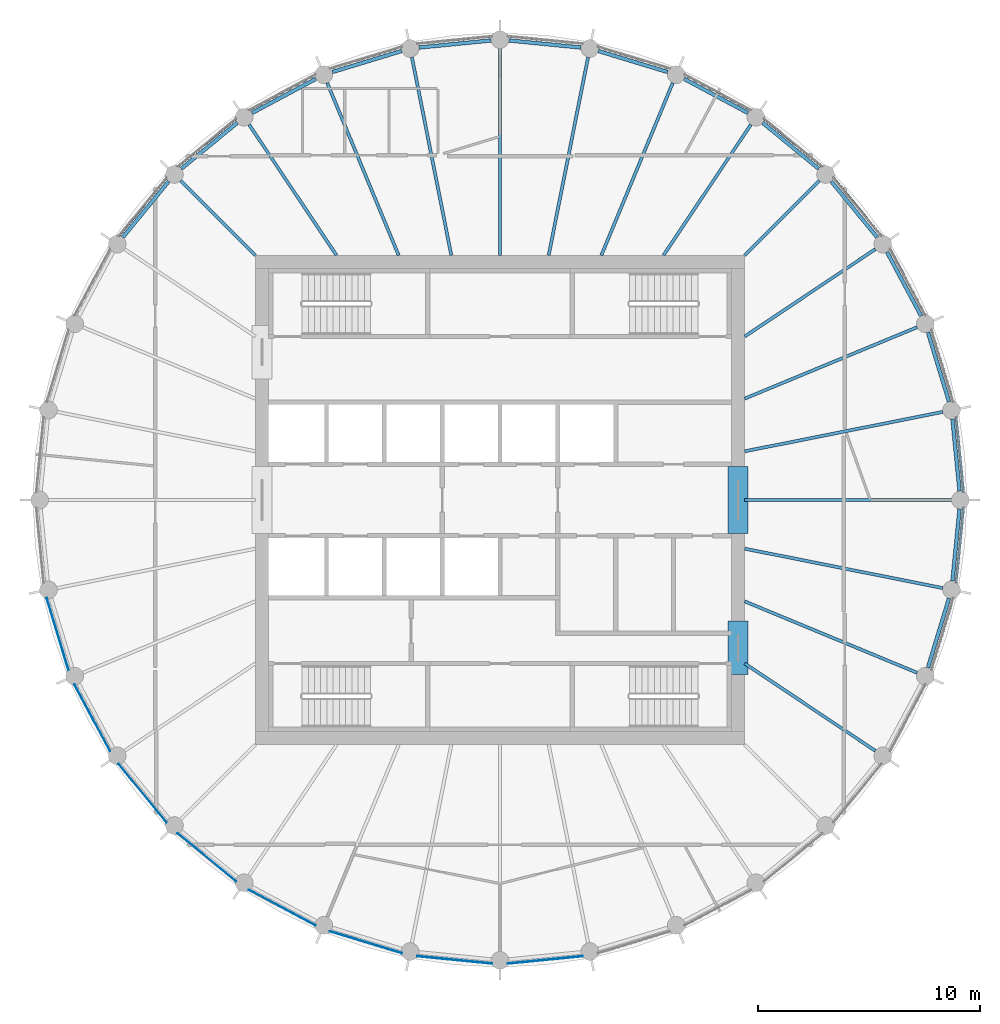
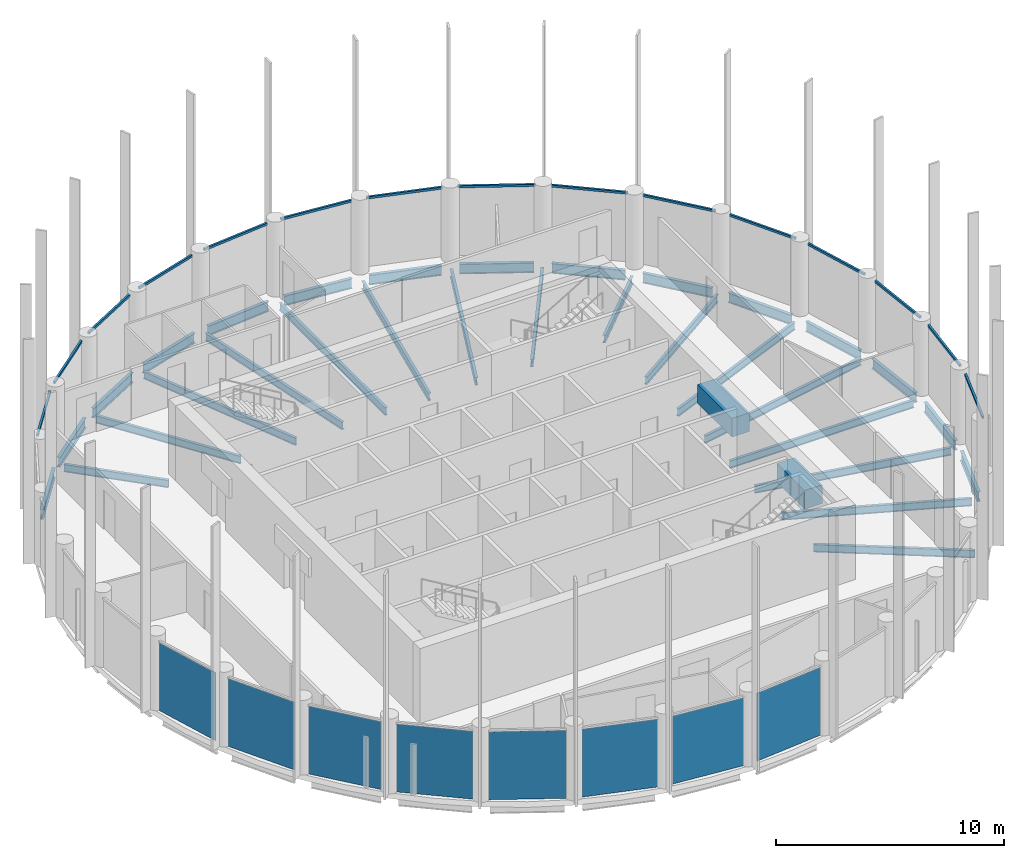
# One storey, part 2 of 7: 33 beams, 15 members, 8 plates, 23 elements without a shape of their own.
"""IFC4 building model written with IfcOpenShell, lengths in metres."""

from ifc_helpers import new_model, si_unit, direction, frame, origin, origin_2d, place, context, subcontext, project, spatial, rectangle, i_section, extrude, material, layer, layer_set, material_profile, profile_set, type_object, element, aggregate, save


model = new_model("IFC4")

# Units and contexts
model_context = context("Model", 3, precision=1e-05, world=origin(), true_north=direction((0.0, 1.0)))
body_context = subcontext(model_context, "Body", "Model", "MODEL_VIEW")
ifc_project = project(units=[si_unit("LENGTHUNIT", "METRE"), si_unit("AREAUNIT", "SQUARE_METRE"), si_unit("VOLUMEUNIT", "CUBIC_METRE"), si_unit("PLANEANGLEUNIT", "RADIAN"), si_unit("MASSUNIT", "GRAM", prefix="KILO")], contexts=[model_context])

# Site, building, storey
site_placement = place(None, origin())
site = spatial("IfcSite", under=ifc_project, at=site_placement, CompositionType="ELEMENT")
building_placement = place(site_placement, origin())
building = spatial("IfcBuilding", under=site, at=building_placement, Name="Corvane Civic Tower", CompositionType="ELEMENT")
storey_placement = place(building_placement, frame((0.0, 0.0, 368.5)))
storey = spatial("IfcBuildingStorey", under=building, at=storey_placement, Name="L88", CompositionType="ELEMENT", Elevation=368.5)

# Beams
ifc_material_1 = material(Name="Concrete C40/50", Category="concrete")
ifc_material_profile_1 = material_profile(ifc_material_1, rectangle(XDim=0.89990234375, YDim=1.0, at=origin_2d()), Name="COUPLING BEAM 900X1000")
ifc_profile_set_1 = profile_set([ifc_material_profile_1], Name="Concrete C40/50")
beam_type_1 = type_object("IfcBeamType", Name="COUPLING BEAM COUPLING BEAM 900X1000", PredefinedType="BEAM", material=ifc_profile_set_1)
beam_1_placement = place(storey_placement, frame((10.699951171875, -1.5, 2.60009765625), z_axis=(0.0, 1.0, 0.0), x_axis=(-1.0, 0.0, 0.0)))
element("IfcBeam", 1, at=beam_1_placement, inside=storey, type_object=beam_type_1, Name="BM-L88-cpl-CW-LE", PredefinedType="BEAM", context=body_context, shape_type="SweptSolid", body=[
    extrude(rectangle(XDim=0.89990234375, YDim=1.0, at=origin_2d()), origin(), (0.0, 0.0, 1.0), 3.0),
])
beam_2_placement = place(storey_placement, frame((10.699951171875, -7.85009765625, 2.60009765625), z_axis=(0.0, 1.0, 0.0), x_axis=(-1.0, 0.0, 0.0)))
element("IfcBeam", 2, at=beam_2_placement, inside=storey, type_object=beam_type_1, Name="BM-L88-cpl-CW-ES", PredefinedType="BEAM", context=body_context, shape_type="SweptSolid", body=[
    extrude(rectangle(XDim=0.89990234375, YDim=1.0, at=origin_2d()), origin(), (0.0, 0.0, 1.0), 2.400146484375),
])
ifc_material_2 = material(Name="Steel ASTM A992 Gr 50", Category="steel")
ifc_material_profile_2 = material_profile(ifc_material_2, i_section(OverallWidth=0.165771484375, OverallDepth=0.5283203125, WebThickness=0.009765625, FlangeThickness=0.013671875, at=origin_2d()), Name="W21X50")
ifc_profile_set_2 = profile_set([ifc_material_profile_2], Name="Steel ASTM A992 Gr 50")
beam_type_2 = type_object("IfcBeamType", Name="EDGE BEAM W21X50", PredefinedType="BEAM", material=ifc_profile_set_2)
beam_3_placement = place(storey_placement, frame((0.39794921875, 20.66064453125, -0.564208984375), z_axis=(0.995192503142, -0.097938152369, 0.0), x_axis=(0.097938152369, 0.995192503142, 0.0)))
element("IfcBeam", 3, at=beam_3_placement, inside=storey, type_object=beam_type_2, Name="BM-L88-E01", PredefinedType="BEAM", context=body_context, shape_type="SweptSolid", body=[
    extrude(i_section(OverallWidth=0.165771484375, OverallDepth=0.5283203125, WebThickness=0.009765625, FlangeThickness=0.013671875, at=origin_2d()), origin(), (0.0, 0.0, 1.0), 3.258056640625),
])
for number, where, z_axis, x_axis, name in (
    (4, (4.421142578125, 20.18603515625, -0.564208984375), (0.956955679349, -0.290234091317, 0.0), (0.290234091317, 0.956955679349, 0.0), "BM-L88-E02"),
    (5, (8.2744140625, 18.935791015625, -0.564208984375), (0.881894065907, -0.471447618, 0.0), (0.471447618, 0.881894065907, 0.0), "BM-L88-E03"),
    (6, (11.8095703125, 16.957763671875, -0.564208984375), (0.772984791903, -0.634424551454, 0.0), (0.634424551454, 0.772984791903, 0.0), "BM-L88-E04"),
    (7, (14.890869140625, 14.327880859375, -0.564208984375), (0.634424551454, -0.772984791903, 0.0), (0.772984791903, 0.634424551454, 0.0), "BM-L88-E05"),
    (8, (17.39990234375, 11.1474609375, -0.564208984375), (0.471447618, -0.881894065907, 0.0), (0.881894065907, 0.471447618, 0.0), "BM-L88-E06"),
    (9, (19.240478515625, 7.538818359375, -0.564208984375), (0.290234091317, -0.956955679349, 0.0), (0.956955679349, 0.290234091317, 0.0), "BM-L88-E07"),
):
    element("IfcBeam", number, at=place(storey_placement, frame(where, z_axis=z_axis, x_axis=x_axis)), inside=storey, type_object=beam_type_2, Name=name, PredefinedType="BEAM", context=body_context, shape_type="SweptSolid", body=[
        extrude(i_section(OverallWidth=0.165771484375, OverallDepth=0.5283203125, WebThickness=0.009765625, FlangeThickness=0.013671875, at=origin_2d()), origin(), (0.0, 0.0, 1.0), 3.2578125),
    ])
for number, where, z_axis, x_axis, name in (
    (10, (20.341552734375, 3.640380859375, -0.564208984375), (0.097938152369, -0.995192503142, 0.0), (0.995192503142, 0.097938152369, 0.0), "BM-L88-E08"),
    (11, (20.66064453125, -0.39794921875, -0.564208984375), (-0.097938152369, -0.995192503142, 0.0), (0.995192503142, -0.097938152369, 0.0), "BM-L88-E09"),
):
    element("IfcBeam", number, at=place(storey_placement, frame(where, z_axis=z_axis, x_axis=x_axis)), inside=storey, type_object=beam_type_2, Name=name, PredefinedType="BEAM", context=body_context, shape_type="SweptSolid", body=[
        extrude(i_section(OverallWidth=0.165771484375, OverallDepth=0.5283203125, WebThickness=0.009765625, FlangeThickness=0.013671875, at=origin_2d()), origin(), (0.0, 0.0, 1.0), 3.258056640625),
    ])
for number, where, z_axis, x_axis, name in (
    (12, (20.18603515625, -4.421142578125, -0.564208984375), (-0.290234091317, -0.956955679349, 0.0), (0.956955679349, -0.290234091317, 0.0), "BM-L88-E10"),
    (13, (-16.957763671875, 11.8095703125, -0.564208984375), (0.634424551454, 0.772984791903, 0.0), (-0.772984791903, 0.634424551454, 0.0), "BM-L88-E28"),
    (14, (-14.327880859375, 14.890869140625, -0.564208984375), (0.772984791903, 0.634424551454, 0.0), (-0.634424551454, 0.772984791903, 0.0), "BM-L88-E29"),
    (15, (-11.1474609375, 17.39990234375, -0.564208984375), (0.881894065907, 0.471447618, 0.0), (-0.471447618, 0.881894065907, 0.0), "BM-L88-E30"),
    (16, (-7.538818359375, 19.240478515625, -0.564208984375), (0.956955679349, 0.290234091317, 0.0), (-0.290234091317, 0.956955679349, 0.0), "BM-L88-E31"),
):
    element("IfcBeam", number, at=place(storey_placement, frame(where, z_axis=z_axis, x_axis=x_axis)), inside=storey, type_object=beam_type_2, Name=name, PredefinedType="BEAM", context=body_context, shape_type="SweptSolid", body=[
        extrude(i_section(OverallWidth=0.165771484375, OverallDepth=0.5283203125, WebThickness=0.009765625, FlangeThickness=0.013671875, at=origin_2d()), origin(), (0.0, 0.0, 1.0), 3.2578125),
    ])
beam_4_placement = place(storey_placement, frame((-3.640380859375, 20.341552734375, -0.564208984375), z_axis=(0.995192503142, 0.097938152369, 0.0), x_axis=(-0.097938152369, 0.995192503142, 0.0)))
element("IfcBeam", 17, at=beam_4_placement, inside=storey, type_object=beam_type_2, Name="BM-L88-E32", PredefinedType="BEAM", context=body_context, shape_type="SweptSolid", body=[
    extrude(i_section(OverallWidth=0.165771484375, OverallDepth=0.5283203125, WebThickness=0.009765625, FlangeThickness=0.013671875, at=origin_2d()), origin(), (0.0, 0.0, 1.0), 3.258056640625),
])
ifc_material_3 = material(Name="Steel ASTM A992 Gr 50", Category="steel")
ifc_material_profile_3 = material_profile(ifc_material_3, i_section(OverallWidth=0.140380859375, OverallDepth=0.40380859375, WebThickness=0.007080078125, FlangeThickness=0.01123046875, at=origin_2d()), Name="W16X31")
ifc_profile_set_3 = profile_set([ifc_material_profile_3], Name="Steel ASTM A992 Gr 50")
beam_type_3 = type_object("IfcBeamType", Name="FLOOR GIRDER W16X31", PredefinedType="BEAM", material=ifc_profile_set_3)
beam_5_placement = place(storey_placement, frame((0.0, 11.0, -0.501953125), z_axis=(0.0, 1.0, 0.0), x_axis=(-1.0, 0.0, 0.0)))
element("IfcBeam", 18, at=beam_5_placement, inside=storey, type_object=beam_type_3, Name="BM-L88-G01", PredefinedType="BEAM", context=body_context, shape_type="SweptSolid", body=[
    extrude(i_section(OverallWidth=0.140380859375, OverallDepth=0.40380859375, WebThickness=0.007080078125, FlangeThickness=0.01123046875, at=origin_2d()), origin(), (0.0, 0.0, 1.0), 9.300048828125),
])
beam_6_placement = place(storey_placement, frame((2.18798828125, 11.0, -0.501953125), z_axis=(0.195108241061, 0.980781715913, 0.0), x_axis=(-0.980781715913, 0.195108241061, 0.0)))
element("IfcBeam", 19, at=beam_6_placement, inside=storey, type_object=beam_type_3, Name="BM-L88-G02", PredefinedType="BEAM", context=body_context, shape_type="SweptSolid", body=[
    extrude(i_section(OverallWidth=0.140380859375, OverallDepth=0.40380859375, WebThickness=0.007080078125, FlangeThickness=0.01123046875, at=origin_2d()), origin(), (0.0, 0.0, 1.0), 9.08447265625),
])
beam_7_placement = place(storey_placement, frame((4.556396484375, 11.0, -0.501953125), z_axis=(0.382691739894, 0.923876091377, 0.0), x_axis=(-0.923876091377, 0.382691739894, 0.0)))
element("IfcBeam", 20, at=beam_7_placement, inside=storey, type_object=beam_type_3, Name="BM-L88-G03", PredefinedType="BEAM", context=body_context, shape_type="SweptSolid", body=[
    extrude(i_section(OverallWidth=0.140380859375, OverallDepth=0.40380859375, WebThickness=0.007080078125, FlangeThickness=0.01123046875, at=origin_2d()), origin(), (0.0, 0.0, 1.0), 8.3935546875),
])
beam_8_placement = place(storey_placement, frame((7.349853515625, 11.0, -0.501953125), z_axis=(0.555576401385, 0.831465490699, 0.0), x_axis=(-0.831465490699, 0.555576401385, 0.0)))
element("IfcBeam", 21, at=beam_8_placement, inside=storey, type_object=beam_type_3, Name="BM-L88-G04", PredefinedType="BEAM", context=body_context, shape_type="SweptSolid", body=[
    extrude(i_section(OverallWidth=0.140380859375, OverallDepth=0.40380859375, WebThickness=0.007080078125, FlangeThickness=0.01123046875, at=origin_2d()), origin(), (0.0, 0.0, 1.0), 7.070556640625),
])
beam_9_placement = place(storey_placement, frame((11.0, 11.0, -0.501953125), z_axis=(0.707106781187, 0.707106781187, 0.0), x_axis=(-0.707106781187, 0.707106781187, 0.0)))
element("IfcBeam", 22, at=beam_9_placement, inside=storey, type_object=beam_type_3, Name="BM-L88-G05", PredefinedType="BEAM", context=body_context, shape_type="SweptSolid", body=[
    extrude(i_section(OverallWidth=0.140380859375, OverallDepth=0.40380859375, WebThickness=0.007080078125, FlangeThickness=0.01123046875, at=origin_2d()), origin(), (0.0, 0.0, 1.0), 4.74365234375),
])
beam_10_placement = place(storey_placement, frame((11.0, 7.349853515625, -0.501953125), z_axis=(0.831465490699, 0.555576401385, 0.0), x_axis=(-0.555576401385, 0.831465490699, 0.0)))
element("IfcBeam", 23, at=beam_10_placement, inside=storey, type_object=beam_type_3, Name="BM-L88-G06", PredefinedType="BEAM", context=body_context, shape_type="SweptSolid", body=[
    extrude(i_section(OverallWidth=0.140380859375, OverallDepth=0.40380859375, WebThickness=0.007080078125, FlangeThickness=0.01123046875, at=origin_2d()), origin(), (0.0, 0.0, 1.0), 7.070556640625),
])
beam_11_placement = place(storey_placement, frame((11.0, 4.556396484375, -0.501953125), z_axis=(0.923876091377, 0.382691739894, 0.0), x_axis=(-0.382691739894, 0.923876091377, 0.0)))
element("IfcBeam", 24, at=beam_11_placement, inside=storey, type_object=beam_type_3, Name="BM-L88-G07", PredefinedType="BEAM", context=body_context, shape_type="SweptSolid", body=[
    extrude(i_section(OverallWidth=0.140380859375, OverallDepth=0.40380859375, WebThickness=0.007080078125, FlangeThickness=0.01123046875, at=origin_2d()), origin(), (0.0, 0.0, 1.0), 8.3935546875),
])
beam_12_placement = place(storey_placement, frame((11.0, 2.18798828125, -0.501953125), z_axis=(0.980781715913, 0.195108241061, 0.0), x_axis=(-0.195108241061, 0.980781715913, 0.0)))
element("IfcBeam", 25, at=beam_12_placement, inside=storey, type_object=beam_type_3, Name="BM-L88-G08", PredefinedType="BEAM", context=body_context, shape_type="SweptSolid", body=[
    extrude(i_section(OverallWidth=0.140380859375, OverallDepth=0.40380859375, WebThickness=0.007080078125, FlangeThickness=0.01123046875, at=origin_2d()), origin(), (0.0, 0.0, 1.0), 9.08447265625),
])
beam_13_placement = place(storey_placement, frame((11.0, 0.0, -0.501953125), z_axis=(1.0, 0.0, 0.0), x_axis=(0.0, 1.0, 0.0)))
element("IfcBeam", 26, at=beam_13_placement, inside=storey, type_object=beam_type_3, Name="BM-L88-G09", PredefinedType="BEAM", context=body_context, shape_type="SweptSolid", body=[
    extrude(i_section(OverallWidth=0.140380859375, OverallDepth=0.40380859375, WebThickness=0.007080078125, FlangeThickness=0.01123046875, at=origin_2d()), origin(), (0.0, 0.0, 1.0), 9.300048828125),
])
beam_14_placement = place(storey_placement, frame((11.0, -2.18798828125, -0.501953125), z_axis=(0.980781715913, -0.195108241061, 0.0), x_axis=(0.195108241061, 0.980781715913, 0.0)))
element("IfcBeam", 27, at=beam_14_placement, inside=storey, type_object=beam_type_3, Name="BM-L88-G10", PredefinedType="BEAM", context=body_context, shape_type="SweptSolid", body=[
    extrude(i_section(OverallWidth=0.140380859375, OverallDepth=0.40380859375, WebThickness=0.007080078125, FlangeThickness=0.01123046875, at=origin_2d()), origin(), (0.0, 0.0, 1.0), 9.08447265625),
])
beam_15_placement = place(storey_placement, frame((11.0, -4.556396484375, -0.501953125), z_axis=(0.923876091377, -0.382691739894, 0.0), x_axis=(0.382691739894, 0.923876091377, 0.0)))
element("IfcBeam", 28, at=beam_15_placement, inside=storey, type_object=beam_type_3, Name="BM-L88-G11", PredefinedType="BEAM", context=body_context, shape_type="SweptSolid", body=[
    extrude(i_section(OverallWidth=0.140380859375, OverallDepth=0.40380859375, WebThickness=0.007080078125, FlangeThickness=0.01123046875, at=origin_2d()), origin(), (0.0, 0.0, 1.0), 8.3935546875),
])
beam_16_placement = place(storey_placement, frame((11.0, -7.349853515625, -0.501953125), z_axis=(0.831465490699, -0.555576401385, 0.0), x_axis=(0.555576401385, 0.831465490699, 0.0)))
element("IfcBeam", 29, at=beam_16_placement, inside=storey, type_object=beam_type_3, Name="BM-L88-G12", PredefinedType="BEAM", context=body_context, shape_type="SweptSolid", body=[
    extrude(i_section(OverallWidth=0.140380859375, OverallDepth=0.40380859375, WebThickness=0.007080078125, FlangeThickness=0.01123046875, at=origin_2d()), origin(), (0.0, 0.0, 1.0), 7.070556640625),
])
beam_17_placement = place(storey_placement, frame((-11.0, 11.0, -0.501953125), z_axis=(-0.707106781187, 0.707106781187, 0.0), x_axis=(-0.707106781187, -0.707106781187, 0.0)))
element("IfcBeam", 30, at=beam_17_placement, inside=storey, type_object=beam_type_3, Name="BM-L88-G29", PredefinedType="BEAM", context=body_context, shape_type="SweptSolid", body=[
    extrude(i_section(OverallWidth=0.140380859375, OverallDepth=0.40380859375, WebThickness=0.007080078125, FlangeThickness=0.01123046875, at=origin_2d()), origin(), (0.0, 0.0, 1.0), 4.74365234375),
])
beam_18_placement = place(storey_placement, frame((-7.349853515625, 11.0, -0.501953125), z_axis=(-0.555576401385, 0.831465490699, 0.0), x_axis=(-0.831465490699, -0.555576401385, 0.0)))
element("IfcBeam", 31, at=beam_18_placement, inside=storey, type_object=beam_type_3, Name="BM-L88-G30", PredefinedType="BEAM", context=body_context, shape_type="SweptSolid", body=[
    extrude(i_section(OverallWidth=0.140380859375, OverallDepth=0.40380859375, WebThickness=0.007080078125, FlangeThickness=0.01123046875, at=origin_2d()), origin(), (0.0, 0.0, 1.0), 7.070556640625),
])
beam_19_placement = place(storey_placement, frame((-4.556396484375, 11.0, -0.501953125), z_axis=(-0.382691739894, 0.923876091377, 0.0), x_axis=(-0.923876091377, -0.382691739894, 0.0)))
element("IfcBeam", 32, at=beam_19_placement, inside=storey, type_object=beam_type_3, Name="BM-L88-G31", PredefinedType="BEAM", context=body_context, shape_type="SweptSolid", body=[
    extrude(i_section(OverallWidth=0.140380859375, OverallDepth=0.40380859375, WebThickness=0.007080078125, FlangeThickness=0.01123046875, at=origin_2d()), origin(), (0.0, 0.0, 1.0), 8.3935546875),
])
beam_20_placement = place(storey_placement, frame((-2.18798828125, 11.0, -0.501953125), z_axis=(-0.195108241061, 0.980781715913, 0.0), x_axis=(-0.980781715913, -0.195108241061, 0.0)))
element("IfcBeam", 33, at=beam_20_placement, inside=storey, type_object=beam_type_3, Name="BM-L88-G32", PredefinedType="BEAM", context=body_context, shape_type="SweptSolid", body=[
    extrude(i_section(OverallWidth=0.140380859375, OverallDepth=0.40380859375, WebThickness=0.007080078125, FlangeThickness=0.01123046875, at=origin_2d()), origin(), (0.0, 0.0, 1.0), 9.08447265625),
])

# Curtain wall, member
ifc_material_4 = material(Name="Anodised aluminium bronze", Category="aluminium")
curtain_wall_type = type_object("IfcCurtainWallType", Name="TOWER CW-T3 STICK CURTAIN WALL", PredefinedType="NOTDEFINED", material=ifc_material_4)
curtain_wall_1_placement = place(storey_placement, origin())
curtain_wall_1 = element("IfcCurtainWall", 34, at=curtain_wall_1_placement, inside=storey, type_object=curtain_wall_type, Name="Curtain wall CW-T3 L88 bay 01", PredefinedType="NOTDEFINED")
ifc_material_5 = material(Name="Anodised aluminium bronze", Category="aluminium")
ifc_material_profile_4 = material_profile(ifc_material_5, rectangle(XDim=0.10009765625, YDim=0.1201171875, at=origin_2d()), Name="TOWER CW-T3 TRANSOM 100x120")
ifc_profile_set_4 = profile_set([ifc_material_profile_4], Name="Anodised aluminium bronze")
member_type = type_object("IfcMemberType", Name="TOWER CW-T3 TRANSOM 100x120", PredefinedType="USERDEFINED", material=ifc_profile_set_4)
member_1_placement = place(storey_placement, frame((0.34375, 20.845947265625, 3.68994140625), z_axis=(0.995191564676, -0.097947688066, 0.0), x_axis=(0.097947688066, 0.995191564676, 0.0)))
member_1 = element("IfcMember", 35, at=member_1_placement, type_object=member_type, Name="Transom CW-T3 L88 01.1", ObjectType="TRANSOM", PredefinedType="USERDEFINED", context=body_context, shape_type="SweptSolid", body=[
    extrude(rectangle(XDim=0.10009765625, YDim=0.1201171875, at=origin_2d()), origin(), (0.0, 0.0, 1.0), 3.40234375),
])
aggregate(curtain_wall_1, [member_1])

curtain_wall_2_placement = place(storey_placement, origin())
curtain_wall_2 = element("IfcCurtainWall", 36, at=curtain_wall_2_placement, inside=storey, type_object=curtain_wall_type, Name="Curtain wall CW-T3 L88 bay 02", PredefinedType="NOTDEFINED")
member_2_placement = place(storey_placement, frame((4.40380859375, 20.37841796875, 3.68994140625), z_axis=(0.956961022204, -0.290216474345, 0.0), x_axis=(0.290216474345, 0.956961022204, 0.0)))
member_2 = element("IfcMember", 37, at=member_2_placement, type_object=member_type, Name="Transom CW-T3 L88 02.1", ObjectType="TRANSOM", PredefinedType="USERDEFINED", context=body_context, shape_type="SweptSolid", body=[
    extrude(rectangle(XDim=0.10009765625, YDim=0.1201171875, at=origin_2d()), origin(), (0.0, 0.0, 1.0), 3.40283203125),
])
aggregate(curtain_wall_2, [member_2])

curtain_wall_3_placement = place(storey_placement, origin())
curtain_wall_3 = element("IfcCurtainWall", 38, at=curtain_wall_3_placement, inside=storey, type_object=curtain_wall_type, Name="Curtain wall CW-T3 L88 bay 03", PredefinedType="NOTDEFINED")
member_3_placement = place(storey_placement, frame((8.294921875, 19.127685546875, 3.68994140625), z_axis=(0.881941440444, -0.471358988063, 0.0), x_axis=(0.471358988063, 0.881941440444, 0.0)))
member_3 = element("IfcMember", 39, at=member_3_placement, type_object=member_type, Name="Transom CW-T3 L88 03.1", ObjectType="TRANSOM", PredefinedType="USERDEFINED", context=body_context, shape_type="SweptSolid", body=[
    extrude(rectangle(XDim=0.10009765625, YDim=0.1201171875, at=origin_2d()), origin(), (0.0, 0.0, 1.0), 3.40234375),
])
aggregate(curtain_wall_3, [member_3])

curtain_wall_4_placement = place(storey_placement, origin())
curtain_wall_4 = element("IfcCurtainWall", 40, at=curtain_wall_4_placement, inside=storey, type_object=curtain_wall_type, Name="Curtain wall CW-T3 L88 bay 04", PredefinedType="NOTDEFINED")
member_4_placement = place(storey_placement, frame((11.8671875, 17.14208984375, 3.68994140625), z_axis=(0.773010217358, -0.634393571736, 0.0), x_axis=(0.634393571736, 0.773010217358, 0.0)))
member_4 = element("IfcMember", 41, at=member_4_placement, type_object=member_type, Name="Transom CW-T3 L88 04.1", ObjectType="TRANSOM", PredefinedType="USERDEFINED", context=body_context, shape_type="SweptSolid", body=[
    extrude(rectangle(XDim=0.10009765625, YDim=0.1201171875, at=origin_2d()), origin(), (0.0, 0.0, 1.0), 3.40283203125),
])
aggregate(curtain_wall_4, [member_4])

curtain_wall_5_placement = place(storey_placement, origin())
curtain_wall_5 = element("IfcCurtainWall", 42, at=curtain_wall_5_placement, inside=storey, type_object=curtain_wall_type, Name="Curtain wall CW-T3 L88 bay 05", PredefinedType="NOTDEFINED")
member_5_placement = place(storey_placement, frame((14.9833984375, 14.49755859375, 3.68994140625), z_axis=(0.634393571736, -0.773010217358, 0.0), x_axis=(0.773010217358, 0.634393571736, 0.0)))
member_5 = element("IfcMember", 43, at=member_5_placement, type_object=member_type, Name="Transom CW-T3 L88 05.1", ObjectType="TRANSOM", PredefinedType="USERDEFINED", context=body_context, shape_type="SweptSolid", body=[
    extrude(rectangle(XDim=0.10009765625, YDim=0.1201171875, at=origin_2d()), origin(), (0.0, 0.0, 1.0), 3.40283203125),
])
aggregate(curtain_wall_5, [member_5])

curtain_wall_6_placement = place(storey_placement, origin())
curtain_wall_6 = element("IfcCurtainWall", 44, at=curtain_wall_6_placement, inside=storey, type_object=curtain_wall_type, Name="Curtain wall CW-T3 L88 bay 06", PredefinedType="NOTDEFINED")
member_6_placement = place(storey_placement, frame((17.52392578125, 11.295654296875, 3.68994140625), z_axis=(0.471358988063, -0.881941440444, 0.0), x_axis=(0.881941440444, 0.471358988063, 0.0)))
member_6 = element("IfcMember", 45, at=member_6_placement, type_object=member_type, Name="Transom CW-T3 L88 06.1", ObjectType="TRANSOM", PredefinedType="USERDEFINED", context=body_context, shape_type="SweptSolid", body=[
    extrude(rectangle(XDim=0.10009765625, YDim=0.1201171875, at=origin_2d()), origin(), (0.0, 0.0, 1.0), 3.40234375),
])
aggregate(curtain_wall_6, [member_6])

curtain_wall_7_placement = place(storey_placement, origin())
curtain_wall_7 = element("IfcCurtainWall", 46, at=curtain_wall_7_placement, inside=storey, type_object=curtain_wall_type, Name="Curtain wall CW-T3 L88 bay 07", PredefinedType="NOTDEFINED")
member_7_placement = place(storey_placement, frame((19.390869140625, 7.66015625, 3.68994140625), z_axis=(0.290216474345, -0.956961022204, 0.0), x_axis=(0.956961022204, 0.290216474345, 0.0)))
member_7 = element("IfcMember", 47, at=member_7_placement, type_object=member_type, Name="Transom CW-T3 L88 07.1", ObjectType="TRANSOM", PredefinedType="USERDEFINED", context=body_context, shape_type="SweptSolid", body=[
    extrude(rectangle(XDim=0.10009765625, YDim=0.1201171875, at=origin_2d()), origin(), (0.0, 0.0, 1.0), 3.40283203125),
])
aggregate(curtain_wall_7, [member_7])

curtain_wall_8_placement = place(storey_placement, origin())
curtain_wall_8 = element("IfcCurtainWall", 48, at=curtain_wall_8_placement, inside=storey, type_object=curtain_wall_type, Name="Curtain wall CW-T3 L88 bay 08", PredefinedType="NOTDEFINED")
member_8_placement = place(storey_placement, frame((20.5126953125, 3.729736328125, 3.68994140625), z_axis=(0.097947688066, -0.995191564676, 0.0), x_axis=(0.995191564676, 0.097947688066, 0.0)))
member_8 = element("IfcMember", 49, at=member_8_placement, type_object=member_type, Name="Transom CW-T3 L88 08.1", ObjectType="TRANSOM", PredefinedType="USERDEFINED", context=body_context, shape_type="SweptSolid", body=[
    extrude(rectangle(XDim=0.10009765625, YDim=0.1201171875, at=origin_2d()), origin(), (0.0, 0.0, 1.0), 3.40234375),
])
aggregate(curtain_wall_8, [member_8])

curtain_wall_9_placement = place(storey_placement, origin())
curtain_wall_9 = element("IfcCurtainWall", 50, at=curtain_wall_9_placement, inside=storey, type_object=curtain_wall_type, Name="Curtain wall CW-T3 L88 bay 09", PredefinedType="NOTDEFINED")
member_9_placement = place(storey_placement, frame((20.845947265625, -0.34375, 3.68994140625), z_axis=(-0.097947688066, -0.995191564676, 0.0), x_axis=(0.995191564676, -0.097947688066, 0.0)))
member_9 = element("IfcMember", 51, at=member_9_placement, type_object=member_type, Name="Transom CW-T3 L88 09.1", ObjectType="TRANSOM", PredefinedType="USERDEFINED", context=body_context, shape_type="SweptSolid", body=[
    extrude(rectangle(XDim=0.10009765625, YDim=0.1201171875, at=origin_2d()), origin(), (0.0, 0.0, 1.0), 3.40234375),
])
aggregate(curtain_wall_9, [member_9])

curtain_wall_10_placement = place(storey_placement, origin())
curtain_wall_10 = element("IfcCurtainWall", 52, at=curtain_wall_10_placement, inside=storey, type_object=curtain_wall_type, Name="Curtain wall CW-T3 L88 bay 10", PredefinedType="NOTDEFINED")
member_10_placement = place(storey_placement, frame((20.37841796875, -4.40380859375, 3.68994140625), z_axis=(-0.290216474345, -0.956961022204, 0.0), x_axis=(0.956961022204, -0.290216474345, 0.0)))
member_10 = element("IfcMember", 53, at=member_10_placement, type_object=member_type, Name="Transom CW-T3 L88 10.1", ObjectType="TRANSOM", PredefinedType="USERDEFINED", context=body_context, shape_type="SweptSolid", body=[
    extrude(rectangle(XDim=0.10009765625, YDim=0.1201171875, at=origin_2d()), origin(), (0.0, 0.0, 1.0), 3.40283203125),
])
aggregate(curtain_wall_10, [member_10])

curtain_wall_11_placement = place(storey_placement, origin())
curtain_wall_11 = element("IfcCurtainWall", 54, at=curtain_wall_11_placement, inside=storey, type_object=curtain_wall_type, Name="Curtain wall CW-T3 L88 bay 28", PredefinedType="NOTDEFINED")
member_11_placement = place(storey_placement, frame((-17.14208984375, 11.8671875, 3.68994140625), z_axis=(0.634393571736, 0.773010217358, 0.0), x_axis=(-0.773010217358, 0.634393571736, 0.0)))
member_11 = element("IfcMember", 55, at=member_11_placement, type_object=member_type, Name="Transom CW-T3 L88 28.1", ObjectType="TRANSOM", PredefinedType="USERDEFINED", context=body_context, shape_type="SweptSolid", body=[
    extrude(rectangle(XDim=0.10009765625, YDim=0.1201171875, at=origin_2d()), origin(), (0.0, 0.0, 1.0), 3.40283203125),
])
aggregate(curtain_wall_11, [member_11])

curtain_wall_12_placement = place(storey_placement, origin())
curtain_wall_12 = element("IfcCurtainWall", 56, at=curtain_wall_12_placement, inside=storey, type_object=curtain_wall_type, Name="Curtain wall CW-T3 L88 bay 29", PredefinedType="NOTDEFINED")
member_12_placement = place(storey_placement, frame((-14.49755859375, 14.9833984375, 3.68994140625), z_axis=(0.773010217358, 0.634393571736, 0.0), x_axis=(-0.634393571736, 0.773010217358, 0.0)))
member_12 = element("IfcMember", 57, at=member_12_placement, type_object=member_type, Name="Transom CW-T3 L88 29.1", ObjectType="TRANSOM", PredefinedType="USERDEFINED", context=body_context, shape_type="SweptSolid", body=[
    extrude(rectangle(XDim=0.10009765625, YDim=0.1201171875, at=origin_2d()), origin(), (0.0, 0.0, 1.0), 3.40283203125),
])
aggregate(curtain_wall_12, [member_12])

curtain_wall_13_placement = place(storey_placement, origin())
curtain_wall_13 = element("IfcCurtainWall", 58, at=curtain_wall_13_placement, inside=storey, type_object=curtain_wall_type, Name="Curtain wall CW-T3 L88 bay 30", PredefinedType="NOTDEFINED")
member_13_placement = place(storey_placement, frame((-11.295654296875, 17.52392578125, 3.68994140625), z_axis=(0.881941440444, 0.471358988063, 0.0), x_axis=(-0.471358988063, 0.881941440444, 0.0)))
member_13 = element("IfcMember", 59, at=member_13_placement, type_object=member_type, Name="Transom CW-T3 L88 30.1", ObjectType="TRANSOM", PredefinedType="USERDEFINED", context=body_context, shape_type="SweptSolid", body=[
    extrude(rectangle(XDim=0.10009765625, YDim=0.1201171875, at=origin_2d()), origin(), (0.0, 0.0, 1.0), 3.40234375),
])
aggregate(curtain_wall_13, [member_13])

curtain_wall_14_placement = place(storey_placement, origin())
curtain_wall_14 = element("IfcCurtainWall", 60, at=curtain_wall_14_placement, inside=storey, type_object=curtain_wall_type, Name="Curtain wall CW-T3 L88 bay 31", PredefinedType="NOTDEFINED")
member_14_placement = place(storey_placement, frame((-7.66015625, 19.390869140625, 3.68994140625), z_axis=(0.956961022204, 0.290216474345, 0.0), x_axis=(-0.290216474345, 0.956961022204, 0.0)))
member_14 = element("IfcMember", 61, at=member_14_placement, type_object=member_type, Name="Transom CW-T3 L88 31.1", ObjectType="TRANSOM", PredefinedType="USERDEFINED", context=body_context, shape_type="SweptSolid", body=[
    extrude(rectangle(XDim=0.10009765625, YDim=0.1201171875, at=origin_2d()), origin(), (0.0, 0.0, 1.0), 3.40283203125),
])
aggregate(curtain_wall_14, [member_14])

curtain_wall_15_placement = place(storey_placement, origin())
curtain_wall_15 = element("IfcCurtainWall", 62, at=curtain_wall_15_placement, inside=storey, type_object=curtain_wall_type, Name="Curtain wall CW-T3 L88 bay 32", PredefinedType="NOTDEFINED")
member_15_placement = place(storey_placement, frame((-3.729736328125, 20.5126953125, 3.68994140625), z_axis=(0.995191564676, 0.097947688066, 0.0), x_axis=(-0.097947688066, 0.995191564676, 0.0)))
member_15 = element("IfcMember", 63, at=member_15_placement, type_object=member_type, Name="Transom CW-T3 L88 32.1", ObjectType="TRANSOM", PredefinedType="USERDEFINED", context=body_context, shape_type="SweptSolid", body=[
    extrude(rectangle(XDim=0.10009765625, YDim=0.1201171875, at=origin_2d()), origin(), (0.0, 0.0, 1.0), 3.40234375),
])
aggregate(curtain_wall_15, [member_15])

# Curtain wall, plate
curtain_wall_16_placement = place(storey_placement, origin())
curtain_wall_16 = element("IfcCurtainWall", 64, at=curtain_wall_16_placement, inside=storey, type_object=curtain_wall_type, Name="Curtain wall CW-T3 L88 bay 16", PredefinedType="NOTDEFINED")
ifc_material_6 = material(Name="Tinted glass", Category="glass")
ifc_layer = layer(ifc_material_6, 0.028076171875)
ifc_layer_set = layer_set([ifc_layer], Name="Tinted glass")
plate_type = type_object("IfcPlateType", Name="TOWER CW-T3 PANEL IGU28", PredefinedType="CURTAIN_PANEL", material=ifc_layer_set)
plate_1_placement = place(storey_placement, frame((2.03662109375, -20.679443359375, 0.0), z_axis=(0.0, 0.0, 1.0), x_axis=(-0.995186641028, -0.097997701601, 0.0)))
plate_1 = element("IfcPlate", 65, at=plate_1_placement, type_object=plate_type, Name="Glass panel CW-T3 L88 16.1", PredefinedType="CURTAIN_PANEL", context=body_context, shape_type="SweptSolid", body=[
    extrude(rectangle(XDim=3.402587890625, YDim=0.028076171875, at=origin_2d()), origin(), (0.0, 0.0, 1.0), 3.6298828125),
])
aggregate(curtain_wall_16, [plate_1])

curtain_wall_17_placement = place(storey_placement, origin())
curtain_wall_17 = element("IfcCurtainWall", 66, at=curtain_wall_17_placement, inside=storey, type_object=curtain_wall_type, Name="Curtain wall CW-T3 L88 bay 17", PredefinedType="NOTDEFINED")
plate_2_placement = place(storey_placement, frame((-2.03662109375, -20.679443359375, 0.0), z_axis=(0.0, 0.0, 1.0), x_axis=(-0.995186641028, 0.097997701601, 0.0)))
plate_2 = element("IfcPlate", 67, at=plate_2_placement, type_object=plate_type, Name="Glass panel CW-T3 L88 17.1", PredefinedType="CURTAIN_PANEL", context=body_context, shape_type="SweptSolid", body=[
    extrude(rectangle(XDim=3.402587890625, YDim=0.028076171875, at=origin_2d()), origin(), (0.0, 0.0, 1.0), 3.6298828125),
])
aggregate(curtain_wall_17, [plate_2])

curtain_wall_18_placement = place(storey_placement, origin())
curtain_wall_18 = element("IfcCurtainWall", 68, at=curtain_wall_18_placement, inside=storey, type_object=curtain_wall_type, Name="Curtain wall CW-T3 L88 bay 18", PredefinedType="NOTDEFINED")
plate_3_placement = place(storey_placement, frame((-6.031982421875, -19.884765625, 0.0), z_axis=(0.0, 0.0, 1.0), x_axis=(-0.956938582641, 0.290290456359, 0.0)))
plate_3 = element("IfcPlate", 69, at=plate_3_placement, type_object=plate_type, Name="Glass panel CW-T3 L88 18.1", PredefinedType="CURTAIN_PANEL", context=body_context, shape_type="SweptSolid", body=[
    extrude(rectangle(XDim=3.40283203125, YDim=0.028076171875, at=origin_2d()), origin(), (0.0, 0.0, 1.0), 3.6298828125),
])
aggregate(curtain_wall_18, [plate_3])

curtain_wall_19_placement = place(storey_placement, origin())
curtain_wall_19 = element("IfcCurtainWall", 70, at=curtain_wall_19_placement, inside=storey, type_object=curtain_wall_type, Name="Curtain wall CW-T3 L88 bay 19", PredefinedType="NOTDEFINED")
plate_4_placement = place(storey_placement, frame((-9.79541015625, -18.325927734375, 0.0), z_axis=(0.0, 0.0, 1.0), x_axis=(-0.88192824848, 0.471383670202, 0.0)))
plate_4 = element("IfcPlate", 71, at=plate_4_placement, type_object=plate_type, Name="Glass panel CW-T3 L88 19.1", PredefinedType="CURTAIN_PANEL", context=body_context, shape_type="SweptSolid", body=[
    extrude(rectangle(XDim=3.40234375, YDim=0.028076171875, at=origin_2d()), origin(), (0.0, 0.0, 1.0), 3.6298828125),
])
aggregate(curtain_wall_19, [plate_4])

curtain_wall_20_placement = place(storey_placement, origin())
curtain_wall_20 = element("IfcCurtainWall", 72, at=curtain_wall_20_placement, inside=storey, type_object=curtain_wall_type, Name="Curtain wall CW-T3 L88 bay 20", PredefinedType="NOTDEFINED")
plate_5_placement = place(storey_placement, frame((-13.182373046875, -16.062744140625, 0.0), z_axis=(0.0, 0.0, 1.0), x_axis=(-0.773010369391, 0.634393386484, 0.0)))
plate_5 = element("IfcPlate", 73, at=plate_5_placement, type_object=plate_type, Name="Glass panel CW-T3 L88 20.1", PredefinedType="CURTAIN_PANEL", context=body_context, shape_type="SweptSolid", body=[
    extrude(rectangle(XDim=3.402587890625, YDim=0.028076171875, at=origin_2d()), origin(), (0.0, 0.0, 1.0), 3.6298828125),
])
aggregate(curtain_wall_20, [plate_5])

curtain_wall_21_placement = place(storey_placement, origin())
curtain_wall_21 = element("IfcCurtainWall", 74, at=curtain_wall_21_placement, inside=storey, type_object=curtain_wall_type, Name="Curtain wall CW-T3 L88 bay 21", PredefinedType="NOTDEFINED")
plate_6_placement = place(storey_placement, frame((-16.062744140625, -13.182373046875, 0.0), z_axis=(0.0, 0.0, 1.0), x_axis=(-0.634393386484, 0.773010369391, 0.0)))
plate_6 = element("IfcPlate", 75, at=plate_6_placement, type_object=plate_type, Name="Glass panel CW-T3 L88 21.1", PredefinedType="CURTAIN_PANEL", context=body_context, shape_type="SweptSolid", body=[
    extrude(rectangle(XDim=3.402587890625, YDim=0.028076171875, at=origin_2d()), origin(), (0.0, 0.0, 1.0), 3.6298828125),
])
aggregate(curtain_wall_21, [plate_6])

curtain_wall_22_placement = place(storey_placement, origin())
curtain_wall_22 = element("IfcCurtainWall", 76, at=curtain_wall_22_placement, inside=storey, type_object=curtain_wall_type, Name="Curtain wall CW-T3 L88 bay 22", PredefinedType="NOTDEFINED")
plate_7_placement = place(storey_placement, frame((-18.325927734375, -9.79541015625, 0.0), z_axis=(0.0, 0.0, 1.0), x_axis=(-0.471383670202, 0.88192824848, 0.0)))
plate_7 = element("IfcPlate", 77, at=plate_7_placement, type_object=plate_type, Name="Glass panel CW-T3 L88 22.1", PredefinedType="CURTAIN_PANEL", context=body_context, shape_type="SweptSolid", body=[
    extrude(rectangle(XDim=3.40234375, YDim=0.028076171875, at=origin_2d()), origin(), (0.0, 0.0, 1.0), 3.6298828125),
])
aggregate(curtain_wall_22, [plate_7])

curtain_wall_23_placement = place(storey_placement, origin())
curtain_wall_23 = element("IfcCurtainWall", 78, at=curtain_wall_23_placement, inside=storey, type_object=curtain_wall_type, Name="Curtain wall CW-T3 L88 bay 23", PredefinedType="NOTDEFINED")
plate_8_placement = place(storey_placement, frame((-19.884765625, -6.031982421875, 0.0), z_axis=(0.0, 0.0, 1.0), x_axis=(-0.290290456359, 0.956938582641, 0.0)))
plate_8 = element("IfcPlate", 79, at=plate_8_placement, type_object=plate_type, Name="Glass panel CW-T3 L88 23.1", PredefinedType="CURTAIN_PANEL", context=body_context, shape_type="SweptSolid", body=[
    extrude(rectangle(XDim=3.40283203125, YDim=0.028076171875, at=origin_2d()), origin(), (0.0, 0.0, 1.0), 3.6298828125),
])
aggregate(curtain_wall_23, [plate_8])

save(model, "model.ifc")
